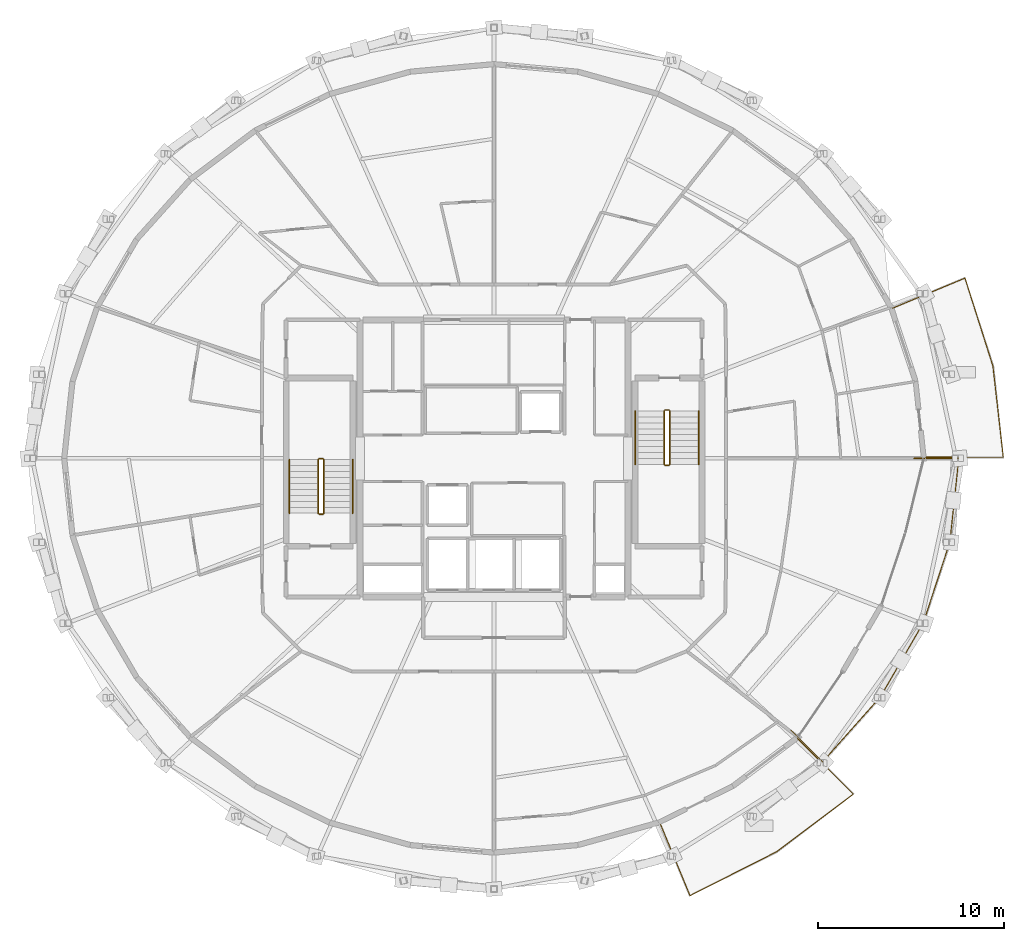
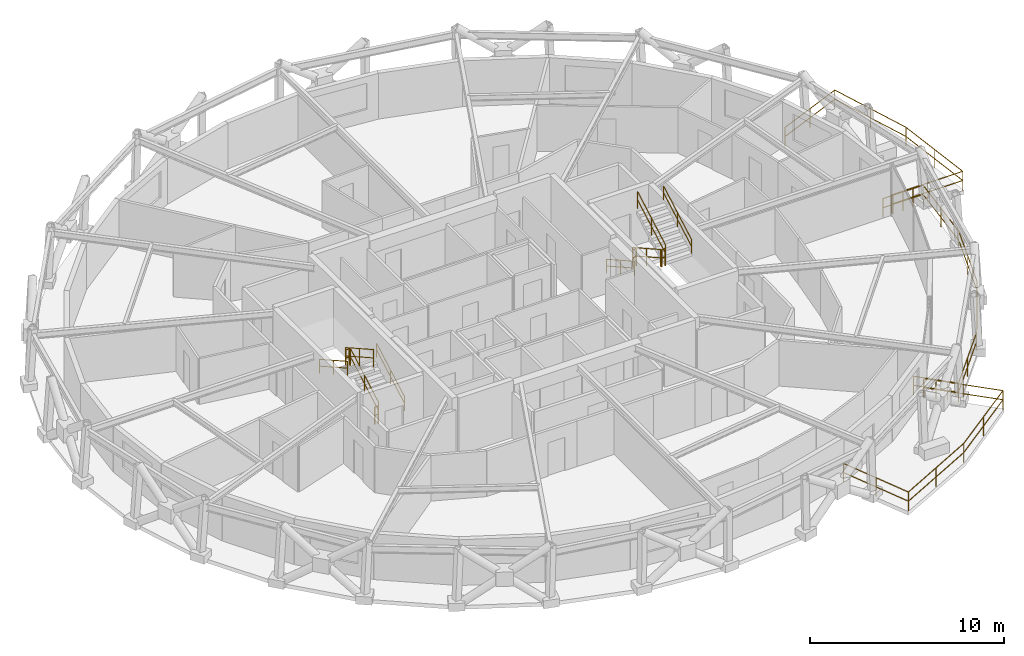
# One storey, part 12 of 12: 17 railings.
"""IFC4 building model written with IfcOpenShell, lengths in metres."""

from ifc_helpers import new_model, si_unit, direction, frame, origin, origin_2d, place, context, subcontext, project, spatial, circle, extrude, material, type_object, element, save


model = new_model("IFC4")

# Units and contexts
model_context = context("Model", 3, precision=1e-05, world=origin(), true_north=direction((0.0, 1.0)))
body_context = subcontext(model_context, "Body", "Model", "MODEL_VIEW")
ifc_project = project(units=[si_unit("LENGTHUNIT", "METRE"), si_unit("AREAUNIT", "SQUARE_METRE"), si_unit("VOLUMEUNIT", "CUBIC_METRE"), si_unit("PLANEANGLEUNIT", "RADIAN"), si_unit("MASSUNIT", "GRAM", prefix="KILO")], contexts=[model_context])

# Site, building, storey
site_placement = place(None, origin())
site = spatial("IfcSite", under=ifc_project, at=site_placement, CompositionType="ELEMENT")
building_placement = place(site_placement, origin())
building = spatial("IfcBuilding", under=site, at=building_placement, Name="Veldorina Hangang Commons", CompositionType="ELEMENT")
storey_placement = place(building_placement, frame((0.0, 0.0, 222.0)))
storey = spatial("IfcBuildingStorey", under=building, at=storey_placement, Name="L57", CompositionType="ELEMENT", Elevation=222.0)

# Railings
ifc_material_1 = material(Name="Glass Laminated Safety Balustrade", Category="glass")
railing_type_1 = type_object("IfcRailingType", Name="RL-BAL-LOGGIA", PredefinedType="BALUSTRADE", material=ifc_material_1)
railing_1_placement = place(storey_placement, frame((47.9716796875, 9.382080078125, 0.0)))
element("IfcRailing", 1, at=railing_1_placement, inside=storey, type_object=railing_type_1, Name="L57 sky-garden loggia end balustrade A", PredefinedType="BALUSTRADE", context=body_context, shape_type="SweptSolid", body=[
    extrude(circle(Radius=0.02392578125, at=origin_2d()), frame((0.0, 0.0, 1.17578125), z_axis=(0.705681167015, -0.708529526922, 0.0), x_axis=(0.708529526922, 0.705681167015, 0.0)), (0.0, 0.0, 1.0), 2.39990234375),
    extrude(circle(Radius=0.02392578125, at=origin_2d()), frame((0.0, 0.0, 0.60009765625), z_axis=(0.705681167015, -0.708529526922, 0.0), x_axis=(0.708529526922, 0.705681167015, 0.0)), (0.0, 0.0, 1.0), 2.39990234375),
    extrude(circle(Radius=0.02099609375, at=origin_2d()), origin(), (0.0, 0.0, 1.0), 1.15185546875),
    extrude(circle(Radius=0.02099609375, at=origin_2d()), frame((0.42333984375, -0.425048828125, 0.0)), (0.0, 0.0, 1.0), 1.15185546875),
    extrude(circle(Radius=0.02099609375, at=origin_2d()), frame((0.8466796875, -0.85009765625, 0.0)), (0.0, 0.0, 1.0), 1.15185546875),
    extrude(circle(Radius=0.02099609375, at=origin_2d()), frame((1.270263671875, -1.275390625, 0.0)), (0.0, 0.0, 1.0), 1.15185546875),
    extrude(circle(Radius=0.02099609375, at=origin_2d()), frame((1.693603515625, -1.700439453125, 0.0)), (0.0, 0.0, 1.0), 1.15185546875),
])
railing_2_placement = place(storey_placement, frame((54.58544921875, 24.0, 0.0)))
element("IfcRailing", 2, at=railing_2_placement, inside=storey, type_object=railing_type_1, Name="L57 sky-garden loggia end balustrade B", PredefinedType="BALUSTRADE", context=body_context, shape_type="SweptSolid", body=[
    extrude(circle(Radius=0.02392578125, at=origin_2d()), frame((0.0, 0.0, 1.17578125), z_axis=(1.0, 0.0, 0.0), x_axis=(0.0, 1.0, 0.0)), (0.0, 0.0, 1.0), 2.400146484375),
    extrude(circle(Radius=0.02392578125, at=origin_2d()), frame((0.0, 0.0, 0.60009765625), z_axis=(1.0, 0.0, 0.0), x_axis=(0.0, 1.0, 0.0)), (0.0, 0.0, 1.0), 2.400146484375),
    extrude(circle(Radius=0.02099609375, at=origin_2d()), origin(), (0.0, 0.0, 1.0), 1.15185546875),
    extrude(circle(Radius=0.02099609375, at=origin_2d()), frame((0.60009765625, 0.0, 0.0)), (0.0, 0.0, 1.0), 1.15185546875),
    extrude(circle(Radius=0.02099609375, at=origin_2d()), frame((1.2001953125, 0.0, 0.0)), (0.0, 0.0, 1.0), 1.15185546875),
    extrude(circle(Radius=0.02099609375, at=origin_2d()), frame((1.800048828125, 0.0, 0.0)), (0.0, 0.0, 1.0), 1.15185546875),
    extrude(circle(Radius=0.02099609375, at=origin_2d()), frame((2.400146484375, 0.0, 0.0)), (0.0, 0.0, 1.0), 1.15185546875),
])
railing_3_placement = place(storey_placement, frame((49.665283203125, 7.681640625, 0.0)))
element("IfcRailing", 3, at=railing_3_placement, inside=storey, type_object=railing_type_1, Name="L57 sky-garden loggia outer balustrade", PredefinedType="BALUSTRADE", context=body_context, shape_type="SweptSolid", body=[
    extrude(circle(Radius=0.02392578125, at=origin_2d()), frame((0.0, 0.0, 1.17578125), z_axis=(0.664370317482, 0.747403559832, 0.0), x_axis=(-0.747403559832, 0.664370317482, 0.0)), (0.0, 0.0, 1.0), 4.677978515625),
    extrude(circle(Radius=0.02392578125, at=origin_2d()), frame((0.0, 0.0, 0.60009765625), z_axis=(0.664370317482, 0.747403559832, 0.0), x_axis=(-0.747403559832, 0.664370317482, 0.0)), (0.0, 0.0, 1.0), 4.677978515625),
    extrude(circle(Radius=0.02392578125, at=origin_2d()), frame((3.10791015625, 3.496337890625, 1.17578125), z_axis=(0.500990342901, 0.865452873541, 0.0), x_axis=(-0.865452873541, 0.500990342901, 0.0)), (0.0, 0.0, 1.0), 4.610107421875),
    extrude(circle(Radius=0.02392578125, at=origin_2d()), frame((3.10791015625, 3.496337890625, 0.60009765625), z_axis=(0.500990342901, 0.865452873541, 0.0), x_axis=(-0.865452873541, 0.500990342901, 0.0)), (0.0, 0.0, 1.0), 4.610107421875),
    extrude(circle(Radius=0.02392578125, at=origin_2d()), frame((5.41748046875, 7.486083984375, 1.17578125), z_axis=(0.312110462631, 0.950045819482, 0.0), x_axis=(-0.950045819482, 0.312110462631, 0.0)), (0.0, 0.0, 1.0), 4.55712890625),
    extrude(circle(Radius=0.02392578125, at=origin_2d()), frame((5.41748046875, 7.486083984375, 0.60009765625), z_axis=(0.312110462631, 0.950045819482, 0.0), x_axis=(-0.950045819482, 0.312110462631, 0.0)), (0.0, 0.0, 1.0), 4.55712890625),
    extrude(circle(Radius=0.02392578125, at=origin_2d()), frame((6.83984375, 11.815673828125, 1.17578125), z_axis=(0.106104784988, 0.994354954029, 0.0), x_axis=(-0.994354954029, 0.106104784988, 0.0)), (0.0, 0.0, 1.0), 4.5283203125),
    extrude(circle(Radius=0.02392578125, at=origin_2d()), frame((6.83984375, 11.815673828125, 0.60009765625), z_axis=(0.106104784988, 0.994354954029, 0.0), x_axis=(-0.994354954029, 0.106104784988, 0.0)), (0.0, 0.0, 1.0), 4.5283203125),
    extrude(circle(Radius=0.02099609375, at=origin_2d()), origin(), (0.0, 0.0, 1.0), 1.15185546875),
    extrude(circle(Radius=0.02099609375, at=origin_2d()), frame((1.553955078125, 1.748046875, 0.0)), (0.0, 0.0, 1.0), 1.15185546875),
    extrude(circle(Radius=0.02099609375, at=origin_2d()), frame((3.10791015625, 3.496337890625, 0.0)), (0.0, 0.0, 1.0), 1.15185546875),
    extrude(circle(Radius=0.02099609375, at=origin_2d()), frame((4.2626953125, 5.4912109375, 0.0)), (0.0, 0.0, 1.0), 1.15185546875),
    extrude(circle(Radius=0.02099609375, at=origin_2d()), frame((5.41748046875, 7.486083984375, 0.0)), (0.0, 0.0, 1.0), 1.15185546875),
    extrude(circle(Radius=0.02099609375, at=origin_2d()), frame((6.128662109375, 9.65087890625, 0.0)), (0.0, 0.0, 1.0), 1.15185546875),
    extrude(circle(Radius=0.02099609375, at=origin_2d()), frame((6.83984375, 11.815673828125, 0.0)), (0.0, 0.0, 1.0), 1.15185546875),
    extrude(circle(Radius=0.02099609375, at=origin_2d()), frame((7.080078125, 14.06689453125, 0.0)), (0.0, 0.0, 1.0), 1.15185546875),
    extrude(circle(Radius=0.02099609375, at=origin_2d()), frame((7.3203125, 16.318359375, 0.0)), (0.0, 0.0, 1.0), 1.15185546875),
])
railing_4_placement = place(storey_placement, frame((40.91943359375, 4.40625, 0.0)))
element("IfcRailing", 4, at=railing_4_placement, inside=storey, type_object=railing_type_1, Name="L57 planted tree balcony 1 balustrade", PredefinedType="BALUSTRADE", context=body_context, shape_type="SweptSolid", body=[
    extrude(circle(Radius=0.02392578125, at=origin_2d()), frame((0.0, 0.0, 1.17578125), z_axis=(0.381390672962, -0.924413951959, 0.0), x_axis=(0.924413951959, 0.381390672962, 0.0)), (0.0, 0.0, 1.0), 4.23388671875),
    extrude(circle(Radius=0.02392578125, at=origin_2d()), frame((0.0, 0.0, 0.60009765625), z_axis=(0.381390672962, -0.924413951959, 0.0), x_axis=(0.924413951959, 0.381390672962, 0.0)), (0.0, 0.0, 1.0), 4.23388671875),
    extrude(circle(Radius=0.02392578125, at=origin_2d()), frame((1.61474609375, -3.913818359375, 1.17578125), z_axis=(0.89207699526, 0.451883430244, 0.0), x_axis=(-0.451883430244, 0.89207699526, 0.0)), (0.0, 0.0, 1.0), 5.22119140625),
    extrude(circle(Radius=0.02392578125, at=origin_2d()), frame((1.61474609375, -3.913818359375, 0.60009765625), z_axis=(0.89207699526, 0.451883430244, 0.0), x_axis=(-0.451883430244, 0.89207699526, 0.0)), (0.0, 0.0, 1.0), 5.22119140625),
    extrude(circle(Radius=0.02392578125, at=origin_2d()), frame((6.2724609375, -1.554443359375, 1.17578125), z_axis=(0.799471661341, 0.600703806142, 0.0), x_axis=(-0.600703806142, 0.799471661341, 0.0)), (0.0, 0.0, 1.0), 5.159912109375),
    extrude(circle(Radius=0.02392578125, at=origin_2d()), frame((6.2724609375, -1.554443359375, 0.60009765625), z_axis=(0.799471661341, 0.600703806142, 0.0), x_axis=(-0.600703806142, 0.799471661341, 0.0)), (0.0, 0.0, 1.0), 5.159912109375),
    extrude(circle(Radius=0.02392578125, at=origin_2d()), frame((10.397705078125, 1.545166015625, 1.17578125), z_axis=(-0.70866180572, 0.705548329396, 0.0), x_axis=(-0.705548329396, -0.70866180572, 0.0)), (0.0, 0.0, 1.0), 4.234375),
    extrude(circle(Radius=0.02392578125, at=origin_2d()), frame((10.397705078125, 1.545166015625, 0.60009765625), z_axis=(-0.70866180572, 0.705548329396, 0.0), x_axis=(-0.705548329396, -0.70866180572, 0.0)), (0.0, 0.0, 1.0), 4.234375),
    extrude(circle(Radius=0.02099609375, at=origin_2d()), origin(), (0.0, 0.0, 1.0), 1.15185546875),
    extrude(circle(Radius=0.02099609375, at=origin_2d()), frame((0.807373046875, -1.95703125, 0.0)), (0.0, 0.0, 1.0), 1.15185546875),
    extrude(circle(Radius=0.02099609375, at=origin_2d()), frame((1.61474609375, -3.913818359375, 0.0)), (0.0, 0.0, 1.0), 1.15185546875),
    extrude(circle(Radius=0.02099609375, at=origin_2d()), frame((3.943603515625, -2.734130859375, 0.0)), (0.0, 0.0, 1.0), 1.15185546875),
    extrude(circle(Radius=0.02099609375, at=origin_2d()), frame((6.2724609375, -1.554443359375, 0.0)), (0.0, 0.0, 1.0), 1.15185546875),
    extrude(circle(Radius=0.02099609375, at=origin_2d()), frame((8.3349609375, -0.004638671875, 0.0)), (0.0, 0.0, 1.0), 1.15185546875),
    extrude(circle(Radius=0.02099609375, at=origin_2d()), frame((10.397705078125, 1.545166015625, 0.0)), (0.0, 0.0, 1.0), 1.15185546875),
    extrude(circle(Radius=0.02099609375, at=origin_2d()), frame((8.8974609375, 3.0390625, 0.0)), (0.0, 0.0, 1.0), 1.15185546875),
    extrude(circle(Radius=0.02099609375, at=origin_2d()), frame((7.39697265625, 4.53271484375, 0.0)), (0.0, 0.0, 1.0), 1.15185546875),
])
railing_5_placement = place(storey_placement, frame((55.1455078125, 24.067138671875, 0.0)))
element("IfcRailing", 5, at=railing_5_placement, inside=storey, type_object=railing_type_1, Name="L57 planted tree balcony 2 balustrade", PredefinedType="BALUSTRADE", context=body_context, shape_type="SweptSolid", body=[
    extrude(circle(Radius=0.02392578125, at=origin_2d()), frame((0.0, 0.0, 1.17578125), z_axis=(0.999997961281, -0.002019265485, 0.0), x_axis=(0.002019265485, 0.999997961281, 0.0)), (0.0, 0.0, 1.0), 4.231689453125),
    extrude(circle(Radius=0.02392578125, at=origin_2d()), frame((0.0, 0.0, 0.60009765625), z_axis=(0.999997961281, -0.002019265485, 0.0), x_axis=(0.002019265485, 0.999997961281, 0.0)), (0.0, 0.0, 1.0), 4.231689453125),
    extrude(circle(Radius=0.02392578125, at=origin_2d()), frame((4.231689453125, -0.008544921875, 1.17578125), z_axis=(-0.112890818237, 0.993607398904, 0.0), x_axis=(-0.993607398904, -0.112890818237, 0.0)), (0.0, 0.0, 1.0), 4.93505859375),
    extrude(circle(Radius=0.02392578125, at=origin_2d()), frame((4.231689453125, -0.008544921875, 0.60009765625), z_axis=(-0.112890818237, 0.993607398904, 0.0), x_axis=(-0.993607398904, -0.112890818237, 0.0)), (0.0, 0.0, 1.0), 4.93505859375),
    extrude(circle(Radius=0.02392578125, at=origin_2d()), frame((3.674560546875, 4.89501953125, 1.17578125), z_axis=(-0.302852283098, 0.953037509557, 0.0), x_axis=(-0.953037509557, -0.302852283098, 0.0)), (0.0, 0.0, 1.0), 4.961669921875),
    extrude(circle(Radius=0.02392578125, at=origin_2d()), frame((3.674560546875, 4.89501953125, 0.60009765625), z_axis=(-0.302852283098, 0.953037509557, 0.0), x_axis=(-0.953037509557, -0.302852283098, 0.0)), (0.0, 0.0, 1.0), 4.961669921875),
    extrude(circle(Radius=0.02392578125, at=origin_2d()), frame((2.171875, 9.623779296875, 1.17578125), z_axis=(-0.923242423548, -0.384217942529, 0.0), x_axis=(0.384217942529, -0.923242423548, 0.0)), (0.0, 0.0, 1.0), 4.231201171875),
    extrude(circle(Radius=0.02392578125, at=origin_2d()), frame((2.171875, 9.623779296875, 0.60009765625), z_axis=(-0.923242423548, -0.384217942529, 0.0), x_axis=(0.384217942529, -0.923242423548, 0.0)), (0.0, 0.0, 1.0), 4.231201171875),
    extrude(circle(Radius=0.02099609375, at=origin_2d()), origin(), (0.0, 0.0, 1.0), 1.15185546875),
    extrude(circle(Radius=0.02099609375, at=origin_2d()), frame((2.11572265625, -0.00439453125, 0.0)), (0.0, 0.0, 1.0), 1.15185546875),
    extrude(circle(Radius=0.02099609375, at=origin_2d()), frame((4.231689453125, -0.008544921875, 0.0)), (0.0, 0.0, 1.0), 1.15185546875),
    extrude(circle(Radius=0.02099609375, at=origin_2d()), frame((3.953125, 2.443359375, 0.0)), (0.0, 0.0, 1.0), 1.15185546875),
    extrude(circle(Radius=0.02099609375, at=origin_2d()), frame((3.674560546875, 4.89501953125, 0.0)), (0.0, 0.0, 1.0), 1.15185546875),
    extrude(circle(Radius=0.02099609375, at=origin_2d()), frame((2.92333984375, 7.25927734375, 0.0)), (0.0, 0.0, 1.0), 1.15185546875),
    extrude(circle(Radius=0.02099609375, at=origin_2d()), frame((2.171875, 9.623779296875, 0.0)), (0.0, 0.0, 1.0), 1.15185546875),
    extrude(circle(Radius=0.02099609375, at=origin_2d()), frame((0.21875, 8.81103515625, 0.0)), (0.0, 0.0, 1.0), 1.15185546875),
    extrude(circle(Radius=0.02099609375, at=origin_2d()), frame((-1.734619140625, 7.998046875, 0.0)), (0.0, 0.0, 1.0), 1.15185546875),
])
ifc_material_2 = material(Name="Steel Painted Balustrade", Category="steel")
railing_type_2 = type_object("IfcRailingType", Name="RL-GRD-STAIR", PredefinedType="GUARDRAIL", material=ifc_material_2)
railing_6_placement = place(storey_placement, frame((22.85009765625, 21.050048828125, 0.179931640625)))
element("IfcRailing", 6, at=railing_6_placement, inside=storey, type_object=railing_type_2, Name="L57 ST-1 stair guard 1", PredefinedType="GUARDRAIL", context=body_context, shape_type="SweptSolid", body=[
    extrude(circle(Radius=0.02392578125, at=origin_2d()), frame((0.0, 0.0, 1.076171875), z_axis=(0.0, 0.87155185771, 0.490303333991), x_axis=(-1.0, 0.0, 0.0)), (0.0, 0.0, 1.0), 3.30419921875),
    extrude(circle(Radius=0.02392578125, at=origin_2d()), frame((0.0, 0.0, 0.550048828125), z_axis=(0.0, 0.87155185771, 0.490303333991), x_axis=(-1.0, 0.0, 0.0)), (0.0, 0.0, 1.0), 3.30419921875),
    extrude(circle(Radius=0.02099609375, at=origin_2d()), origin(), (0.0, 0.0, 1.0), 1.052001953125),
    extrude(circle(Radius=0.02099609375, at=origin_2d()), frame((0.0, 1.43994140625, 0.81005859375)), (0.0, 0.0, 1.0), 1.052001953125),
    extrude(circle(Radius=0.02099609375, at=origin_2d()), frame((0.0, 2.8798828125, 1.6201171875)), (0.0, 0.0, 1.0), 1.052001953125),
])
railing_7_placement = place(storey_placement, frame((22.800048828125, 23.97998046875, 1.800048828125)))
element("IfcRailing", 7, at=railing_7_placement, inside=storey, type_object=railing_type_2, Name="L57 ST-1 stair guard 2", PredefinedType="GUARDRAIL", context=body_context, shape_type="SweptSolid", body=[
    extrude(circle(Radius=0.02392578125, at=origin_2d()), frame((0.0, 0.0, 1.076171875), z_axis=(-1.0, 0.0, 0.0), x_axis=(0.0, -1.0, 0.0)), (0.0, 0.0, 1.0), 0.199951171875),
    extrude(circle(Radius=0.02392578125, at=origin_2d()), frame((0.0, 0.0, 0.550048828125), z_axis=(-1.0, 0.0, 0.0), x_axis=(0.0, -1.0, 0.0)), (0.0, 0.0, 1.0), 0.199951171875),
    extrude(circle(Radius=0.02099609375, at=origin_2d()), origin(), (0.0, 0.0, 1.0), 1.052001953125),
    extrude(circle(Radius=0.02099609375, at=origin_2d()), frame((-0.199951171875, 0.0, 0.0)), (0.0, 0.0, 1.0), 1.052001953125),
])
railing_8_placement = place(storey_placement, frame((22.550048828125, 23.929931640625, 1.97998046875)))
element("IfcRailing", 8, at=railing_8_placement, inside=storey, type_object=railing_type_2, Name="L57 ST-1 stair guard 3", PredefinedType="GUARDRAIL", context=body_context, shape_type="SweptSolid", body=[
    extrude(circle(Radius=0.02392578125, at=origin_2d()), frame((0.0, 0.0, 1.076171875), z_axis=(0.0, -0.87155185771, 0.490303333991), x_axis=(1.0, 0.0, 0.0)), (0.0, 0.0, 1.0), 3.30419921875),
    extrude(circle(Radius=0.02392578125, at=origin_2d()), frame((0.0, 0.0, 0.550048828125), z_axis=(0.0, -0.87155185771, 0.490303333991), x_axis=(1.0, 0.0, 0.0)), (0.0, 0.0, 1.0), 3.30419921875),
    extrude(circle(Radius=0.02099609375, at=origin_2d()), origin(), (0.0, 0.0, 1.0), 1.052001953125),
    extrude(circle(Radius=0.02099609375, at=origin_2d()), frame((0.0, -1.43994140625, 0.81005859375)), (0.0, 0.0, 1.0), 1.052001953125),
    extrude(circle(Radius=0.02099609375, at=origin_2d()), frame((0.0, -2.8798828125, 1.6201171875)), (0.0, 0.0, 1.0), 1.052001953125),
])
railing_9_placement = place(storey_placement, frame((22.800048828125, 21.0, 0.0)))
element("IfcRailing", 9, at=railing_9_placement, inside=storey, type_object=railing_type_2, Name="L57 ST-1 stair guard 4", PredefinedType="GUARDRAIL", context=body_context, shape_type="SweptSolid", body=[
    extrude(circle(Radius=0.02392578125, at=origin_2d()), frame((0.0, 0.0, 1.076171875), z_axis=(-1.0, 0.0, 0.0), x_axis=(0.0, -1.0, 0.0)), (0.0, 0.0, 1.0), 0.199951171875),
    extrude(circle(Radius=0.02392578125, at=origin_2d()), frame((0.0, 0.0, 0.550048828125), z_axis=(-1.0, 0.0, 0.0), x_axis=(0.0, -1.0, 0.0)), (0.0, 0.0, 1.0), 0.199951171875),
    extrude(circle(Radius=0.02099609375, at=origin_2d()), origin(), (0.0, 0.0, 1.0), 1.052001953125),
    extrude(circle(Radius=0.02099609375, at=origin_2d()), frame((-0.199951171875, 0.0, 0.0)), (0.0, 0.0, 1.0), 1.052001953125),
])
railing_10_placement = place(storey_placement, frame((41.14990234375, 26.550048828125, 0.179931640625)))
element("IfcRailing", 10, at=railing_10_placement, inside=storey, type_object=railing_type_2, Name="L57 ST-2 stair guard 1", PredefinedType="GUARDRAIL", context=body_context, shape_type="SweptSolid", body=[
    extrude(circle(Radius=0.02392578125, at=origin_2d()), frame((0.0, 0.0, 1.076171875), z_axis=(0.0, -0.871569617843, 0.490271762652), x_axis=(1.0, 0.0, 0.0)), (0.0, 0.0, 1.0), 3.304443359375),
    extrude(circle(Radius=0.02392578125, at=origin_2d()), frame((0.0, 0.0, 0.550048828125), z_axis=(0.0, -0.871569617843, 0.490271762652), x_axis=(1.0, 0.0, 0.0)), (0.0, 0.0, 1.0), 3.304443359375),
    extrude(circle(Radius=0.02099609375, at=origin_2d()), origin(), (0.0, 0.0, 1.0), 1.052001953125),
    extrude(circle(Radius=0.02099609375, at=origin_2d()), frame((0.0, -1.43994140625, 0.81005859375)), (0.0, 0.0, 1.0), 1.052001953125),
    extrude(circle(Radius=0.02099609375, at=origin_2d()), frame((0.0, -2.880126953125, 1.6201171875)), (0.0, 0.0, 1.0), 1.052001953125),
])
railing_11_placement = place(storey_placement, frame((41.199951171875, 23.6201171875, 1.800048828125)))
element("IfcRailing", 11, at=railing_11_placement, inside=storey, type_object=railing_type_2, Name="L57 ST-2 stair guard 2", PredefinedType="GUARDRAIL", context=body_context, shape_type="SweptSolid", body=[
    extrude(circle(Radius=0.02392578125, at=origin_2d()), frame((0.0, 0.0, 1.076171875), z_axis=(1.0, 0.0, 0.0), x_axis=(0.0, 1.0, 0.0)), (0.0, 0.0, 1.0), 0.199951171875),
    extrude(circle(Radius=0.02392578125, at=origin_2d()), frame((0.0, 0.0, 0.550048828125), z_axis=(1.0, 0.0, 0.0), x_axis=(0.0, 1.0, 0.0)), (0.0, 0.0, 1.0), 0.199951171875),
    extrude(circle(Radius=0.02099609375, at=origin_2d()), origin(), (0.0, 0.0, 1.0), 1.052001953125),
    extrude(circle(Radius=0.02099609375, at=origin_2d()), frame((0.199951171875, 0.0, 0.0)), (0.0, 0.0, 1.0), 1.052001953125),
])
railing_12_placement = place(storey_placement, frame((41.449951171875, 23.669921875, 1.97998046875)))
element("IfcRailing", 12, at=railing_12_placement, inside=storey, type_object=railing_type_2, Name="L57 ST-2 stair guard 3", PredefinedType="GUARDRAIL", context=body_context, shape_type="SweptSolid", body=[
    extrude(circle(Radius=0.02392578125, at=origin_2d()), frame((0.0, 0.0, 1.076171875), z_axis=(0.0, 0.871569617843, 0.490271762652), x_axis=(-1.0, 0.0, 0.0)), (0.0, 0.0, 1.0), 3.304443359375),
    extrude(circle(Radius=0.02392578125, at=origin_2d()), frame((0.0, 0.0, 0.550048828125), z_axis=(0.0, 0.871569617843, 0.490271762652), x_axis=(-1.0, 0.0, 0.0)), (0.0, 0.0, 1.0), 3.304443359375),
    extrude(circle(Radius=0.02099609375, at=origin_2d()), origin(), (0.0, 0.0, 1.0), 1.052001953125),
    extrude(circle(Radius=0.02099609375, at=origin_2d()), frame((0.0, 1.43994140625, 0.81005859375)), (0.0, 0.0, 1.0), 1.052001953125),
    extrude(circle(Radius=0.02099609375, at=origin_2d()), frame((0.0, 2.880126953125, 1.6201171875)), (0.0, 0.0, 1.0), 1.052001953125),
])
railing_13_placement = place(storey_placement, frame((41.199951171875, 26.60009765625, 0.0)))
element("IfcRailing", 13, at=railing_13_placement, inside=storey, type_object=railing_type_2, Name="L57 ST-2 stair guard 4", PredefinedType="GUARDRAIL", context=body_context, shape_type="SweptSolid", body=[
    extrude(circle(Radius=0.02392578125, at=origin_2d()), frame((0.0, 0.0, 1.076171875), z_axis=(1.0, 0.0, 0.0), x_axis=(0.0, 1.0, 0.0)), (0.0, 0.0, 1.0), 0.199951171875),
    extrude(circle(Radius=0.02392578125, at=origin_2d()), frame((0.0, 0.0, 0.550048828125), z_axis=(1.0, 0.0, 0.0), x_axis=(0.0, 1.0, 0.0)), (0.0, 0.0, 1.0), 0.199951171875),
    extrude(circle(Radius=0.02099609375, at=origin_2d()), origin(), (0.0, 0.0, 1.0), 1.052001953125),
    extrude(circle(Radius=0.02099609375, at=origin_2d()), frame((0.199951171875, 0.0, 0.0)), (0.0, 0.0, 1.0), 1.052001953125),
])
ifc_material_3 = material(Name="Stainless Steel Brushed 316", Category="steel")
railing_type_3 = type_object("IfcRailingType", Name="RL-HND-STAIR", PredefinedType="HANDRAIL", material=ifc_material_3)
railing_14_placement = place(storey_placement, frame((24.39990234375, 21.050048828125, 0.179931640625)))
element("IfcRailing", 14, at=railing_14_placement, inside=storey, type_object=railing_type_3, Name="L57 ST-1 stair handrail 1", PredefinedType="HANDRAIL", context=body_context, shape_type="SweptSolid", body=[
    extrude(circle(Radius=0.02392578125, at=origin_2d()), frame((0.0, 0.0, 0.8759765625), z_axis=(0.0, 0.87155185771, 0.490303333991), x_axis=(-1.0, 0.0, 0.0)), (0.0, 0.0, 1.0), 3.30419921875),
    extrude(circle(Radius=0.02392578125, at=origin_2d()), frame((0.0, 0.0, 0.449951171875), z_axis=(0.0, 0.87155185771, 0.490303333991), x_axis=(-1.0, 0.0, 0.0)), (0.0, 0.0, 1.0), 3.30419921875),
    extrude(circle(Radius=0.02099609375, at=origin_2d()), origin(), (0.0, 0.0, 1.0), 0.851806640625),
    extrude(circle(Radius=0.02099609375, at=origin_2d()), frame((0.0, 1.43994140625, 0.81005859375)), (0.0, 0.0, 1.0), 0.851806640625),
    extrude(circle(Radius=0.02099609375, at=origin_2d()), frame((0.0, 2.8798828125, 1.6201171875)), (0.0, 0.0, 1.0), 0.851806640625),
])
railing_15_placement = place(storey_placement, frame((21.0, 23.929931640625, 1.97998046875)))
element("IfcRailing", 15, at=railing_15_placement, inside=storey, type_object=railing_type_3, Name="L57 ST-1 stair handrail 2", PredefinedType="HANDRAIL", context=body_context, shape_type="SweptSolid", body=[
    extrude(circle(Radius=0.02392578125, at=origin_2d()), frame((0.0, 0.0, 0.8759765625), z_axis=(0.0, -0.87155185771, 0.490303333991), x_axis=(1.0, 0.0, 0.0)), (0.0, 0.0, 1.0), 3.30419921875),
    extrude(circle(Radius=0.02392578125, at=origin_2d()), frame((0.0, 0.0, 0.449951171875), z_axis=(0.0, -0.87155185771, 0.490303333991), x_axis=(1.0, 0.0, 0.0)), (0.0, 0.0, 1.0), 3.30419921875),
    extrude(circle(Radius=0.02099609375, at=origin_2d()), origin(), (0.0, 0.0, 1.0), 0.851806640625),
    extrude(circle(Radius=0.02099609375, at=origin_2d()), frame((0.0, -1.43994140625, 0.81005859375)), (0.0, 0.0, 1.0), 0.851806640625),
    extrude(circle(Radius=0.02099609375, at=origin_2d()), frame((0.0, -2.8798828125, 1.6201171875)), (0.0, 0.0, 1.0), 0.851806640625),
])
railing_16_placement = place(storey_placement, frame((39.60009765625, 26.550048828125, 0.179931640625)))
element("IfcRailing", 16, at=railing_16_placement, inside=storey, type_object=railing_type_3, Name="L57 ST-2 stair handrail 1", PredefinedType="HANDRAIL", context=body_context, shape_type="SweptSolid", body=[
    extrude(circle(Radius=0.02392578125, at=origin_2d()), frame((0.0, 0.0, 0.8759765625), z_axis=(0.0, -0.871569617843, 0.490271762652), x_axis=(1.0, 0.0, 0.0)), (0.0, 0.0, 1.0), 3.304443359375),
    extrude(circle(Radius=0.02392578125, at=origin_2d()), frame((0.0, 0.0, 0.449951171875), z_axis=(0.0, -0.871569617843, 0.490271762652), x_axis=(1.0, 0.0, 0.0)), (0.0, 0.0, 1.0), 3.304443359375),
    extrude(circle(Radius=0.02099609375, at=origin_2d()), origin(), (0.0, 0.0, 1.0), 0.851806640625),
    extrude(circle(Radius=0.02099609375, at=origin_2d()), frame((0.0, -1.43994140625, 0.81005859375)), (0.0, 0.0, 1.0), 0.851806640625),
    extrude(circle(Radius=0.02099609375, at=origin_2d()), frame((0.0, -2.880126953125, 1.6201171875)), (0.0, 0.0, 1.0), 0.851806640625),
])
railing_17_placement = place(storey_placement, frame((43.0, 23.669921875, 1.97998046875)))
element("IfcRailing", 17, at=railing_17_placement, inside=storey, type_object=railing_type_3, Name="L57 ST-2 stair handrail 2", PredefinedType="HANDRAIL", context=body_context, shape_type="SweptSolid", body=[
    extrude(circle(Radius=0.02392578125, at=origin_2d()), frame((0.0, 0.0, 0.8759765625), z_axis=(0.0, 0.871569617843, 0.490271762652), x_axis=(-1.0, 0.0, 0.0)), (0.0, 0.0, 1.0), 3.304443359375),
    extrude(circle(Radius=0.02392578125, at=origin_2d()), frame((0.0, 0.0, 0.449951171875), z_axis=(0.0, 0.871569617843, 0.490271762652), x_axis=(-1.0, 0.0, 0.0)), (0.0, 0.0, 1.0), 3.304443359375),
    extrude(circle(Radius=0.02099609375, at=origin_2d()), origin(), (0.0, 0.0, 1.0), 0.851806640625),
    extrude(circle(Radius=0.02099609375, at=origin_2d()), frame((0.0, 1.43994140625, 0.81005859375)), (0.0, 0.0, 1.0), 0.851806640625),
    extrude(circle(Radius=0.02099609375, at=origin_2d()), frame((0.0, 2.880126953125, 1.6201171875)), (0.0, 0.0, 1.0), 0.851806640625),
])

save(model, "model.ifc")
